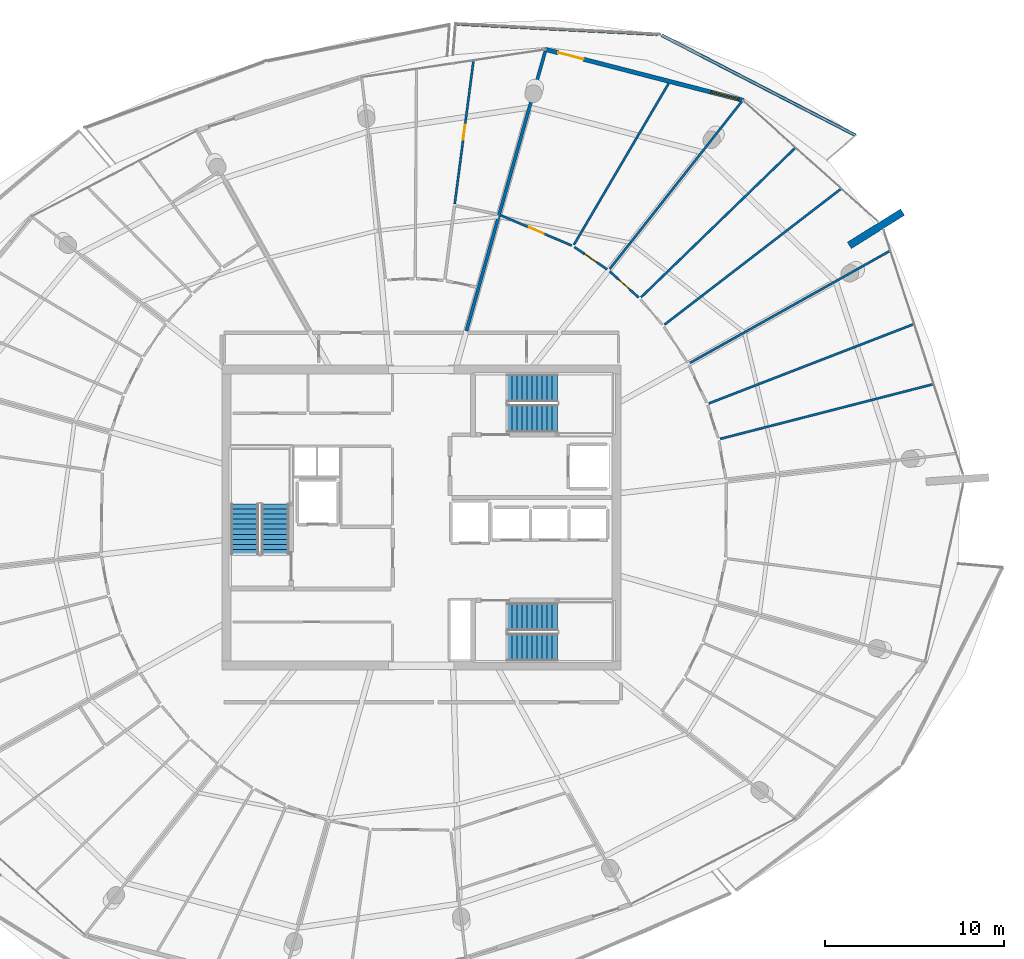
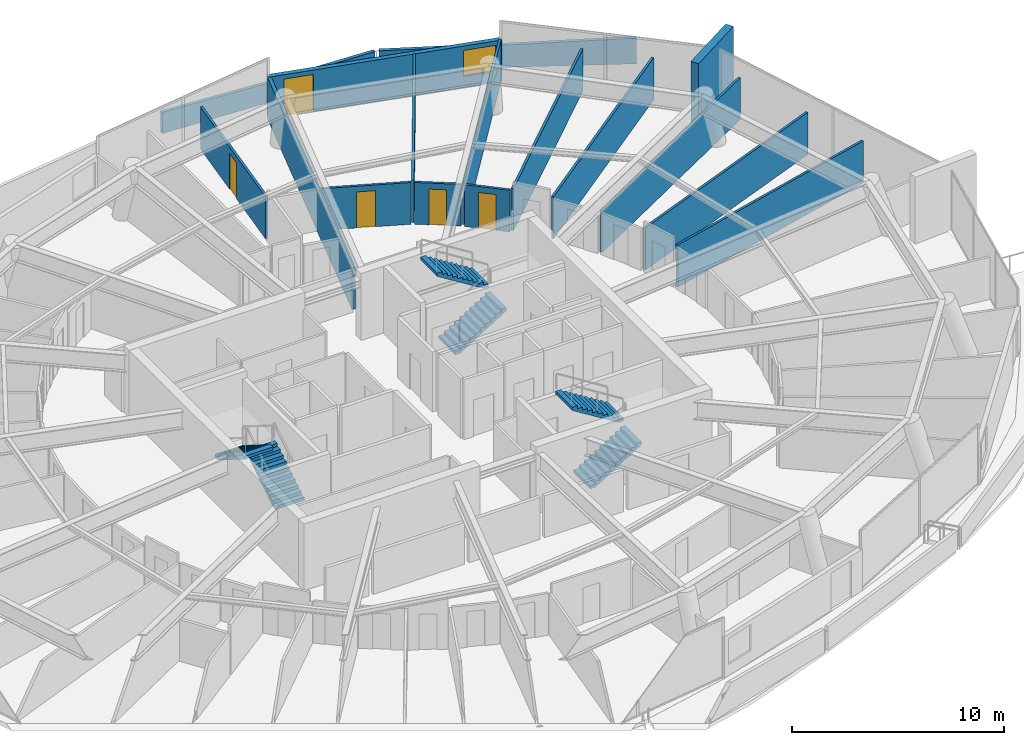
# One storey, part 23 of 30: 16 walls, 6 stair flights, 5 doors, 1 window, 6 openings, 3 elements without a shape of their own.
"""IFC4 building model written with IfcOpenShell, lengths in metres."""

from ifc_helpers import new_model, si_unit, direction, frame, frame_2d, origin, place, context, subcontext, project, spatial, polyline, rectangle, outline, extrude, material, layer, layer_set, type_object, element, fill, aggregate, save


model = new_model("IFC4")

# Units and contexts
model_context = context("Model", 3, precision=1e-05, world=origin(), true_north=direction((0.0, 1.0)))
body_context = subcontext(model_context, "Body", "Model", "MODEL_VIEW")
ifc_project = project(units=[si_unit("LENGTHUNIT", "METRE"), si_unit("AREAUNIT", "SQUARE_METRE"), si_unit("VOLUMEUNIT", "CUBIC_METRE"), si_unit("PLANEANGLEUNIT", "RADIAN"), si_unit("MASSUNIT", "GRAM", prefix="KILO")], contexts=[model_context])

# Site, building, storey
site_placement = place(None, origin())
site = spatial("IfcSite", under=ifc_project, at=site_placement, CompositionType="ELEMENT")
building_placement = place(site_placement, origin())
building = spatial("IfcBuilding", under=site, at=building_placement, Name="Kazma Halo Residences", CompositionType="ELEMENT")
storey_placement = place(building_placement, frame((0.0, 0.0, 302.14990234375)))
storey = spatial("IfcBuildingStorey", under=building, at=storey_placement, Name="L76", CompositionType="ELEMENT", Elevation=302.14990234375)

# Walls
ifc_material_1 = material(Name="White Concrete C50/60 Balustrade", Category="concrete")
ifc_layer_1 = layer(ifc_material_1, 0.179931640625)
ifc_layer_set_1 = layer_set([ifc_layer_1], Name="White Concrete C50/60 Balustrade")
wall_type_1 = type_object("IfcWallType", Name="WL-BAL-WAVE-180", PredefinedType="PARAPET", material=ifc_layer_set_1)
wall_1_placement = place(storey_placement, frame((72.63720703125, 63.3037109375, 0.0), z_axis=(0.0, 0.0, 1.0), x_axis=(-0.888586869338, 0.458708377556, 0.0)))
element("IfcWall", 1, at=wall_1_placement, inside=storey, type_object=wall_type_1, Name="L76 white wave balustrade wall NE.1", PredefinedType="PARAPET", context=body_context, shape_type="SweptSolid", body=[
    extrude(outline(polyline([(0.0, 0.0), (12.160400390625, 0.0), (12.160400390625, 1.148193359375), (6.080078125, 1.2841796875), (0.0, 1.483154296875), (0.0, 0.0)])), frame((0.0, 0.08984375, 0.0), z_axis=(0.0, -1.0, 0.0), x_axis=(1.0, 0.0, 0.0)), (0.0, 0.0, 1.0), 0.179931640625),
])
wall_2_placement = place(storey_placement, frame((61.605224609375, 68.943115234375, 0.0), z_axis=(0.0, 0.0, 1.0), x_axis=(-0.998675719667, 0.051447127692, 0.0)))
element("IfcWall", 2, at=wall_2_placement, inside=storey, type_object=wall_type_1, Name="L76 white wave balustrade wall NE.2", PredefinedType="PARAPET", context=body_context, shape_type="SweptSolid", body=[
    extrude(outline(polyline([(0.0, 0.0), (11.28466796875, 0.0), (11.284912109375, 1.22412109375), (5.642333984375, 1.127197265625), (0.0, 1.148193359375), (0.0, 0.0)])), frame((0.0, 0.08984375, 0.0), z_axis=(0.0, -1.0, 0.0), x_axis=(1.0, 0.0, 0.0)), (0.0, 0.0, 1.0), 0.179931640625),
])
ifc_material_2 = material(Name="Pale Concrete C60/75", Category="concrete")
ifc_layer_2 = layer(ifc_material_2, 0.419921875)
ifc_layer_set_2 = layer_set([ifc_layer_2], Name="Pale Concrete C60/75")
wall_type_2 = type_object("IfcWallType", Name="WL-BLADE-420", PredefinedType="SOLIDWALL", material=ifc_layer_set_2)
wall_3_placement = place(storey_placement, frame((72.281494140625, 57.172607421875, 0.0), z_axis=(0.0, 0.0, 1.0), x_axis=(0.848033572426, 0.529942506352, 0.0)))
element("IfcWall", 3, at=wall_3_placement, inside=storey, type_object=wall_type_2, Name="L76 pale concrete structural blade fin wall BW-01", PredefinedType="SOLIDWALL", context=body_context, shape_type="SweptSolid", body=[
    extrude(rectangle(XDim=3.5, YDim=0.419921875, at=frame_2d((1.75, 0.0))), origin(), (0.0, 0.0, 1.0), 3.85009765625),
])
ifc_material_3 = material(Name="Acoustic Twin-Stud Gypsum")
ifc_layer_3 = layer(ifc_material_3, 0.179931640625)
ifc_layer_set_3 = layer_set([ifc_layer_3], Name="Acoustic Twin-Stud Gypsum")
wall_type_3 = type_object("IfcWallType", Name="WL-DEM-180", PredefinedType="PARTITIONING", material=ifc_layer_set_3)
wall_4_placement = place(storey_placement, frame((50.934814453125, 52.406005859375, 0.0), z_axis=(0.0, 0.0, 1.0), x_axis=(0.27143972755, 0.962455440167, 0.0)))
element("IfcWall", 4, at=wall_4_placement, inside=storey, type_object=wall_type_3, Name="L76 apartment demising radial wall 02", PredefinedType="PARTITIONING", context=body_context, shape_type="SweptSolid", body=[
    extrude(rectangle(XDim=16.172607421875, YDim=0.179931640625, at=frame_2d((8.08642578125, 0.0))), origin(), (0.0, 0.0, 1.0), 2.406982421875),
])

# Wall, openings, door, window
ifc_material_4 = material(Name="Insulated Pale-Metal Composite Wall")
ifc_layer_4 = layer(ifc_material_4, 0.239990234375)
ifc_layer_set_4 = layer_set([ifc_layer_4], Name="Insulated Pale-Metal Composite Wall")
wall_type_4 = type_object("IfcWallType", Name="WL-EXT-HOST-240", PredefinedType="SOLIDWALL", material=ifc_layer_set_4)
wall_5_placement = place(storey_placement, frame((66.386474609375, 65.2490234375, 0.0), z_axis=(0.0, 0.0, 1.0), x_axis=(-0.968343758421, 0.249620442927, 0.0)))
wall_5 = element("IfcWall", 5, at=wall_5_placement, inside=storey, type_object=wall_type_4, Name="L76 exterior terrace-access wall B02", PredefinedType="SOLIDWALL", context=body_context, shape_type="SweptSolid", body=[
    extrude(rectangle(XDim=11.438232421875, YDim=0.239990234375, at=frame_2d((5.71923828125, 0.0))), origin(), (0.0, 0.0, 1.0), 2.400146484375),
])
opening_1_placement = place(wall_5_placement, frame((9.21826171875, 0.0, 0.0)))
opening_1 = element("IfcOpeningElement", 6, at=opening_1_placement, cuts=wall_5, Name="Opening DTR-1600", PredefinedType="OPENING", context=body_context, shape_type="SweptSolid", body=[
    extrude(rectangle(XDim=1.449951171875, YDim=2.14990234375, at=frame_2d((0.72509765625, 1.074951171875))), frame((0.0, 0.1298828125, 0.0), z_axis=(0.0, -1.0, 0.0), x_axis=(1.0, 0.0, 0.0)), (0.0, 0.0, 1.0), 0.260009765625),
])
opening_2_placement = place(wall_5_placement, frame((0.280029296875, 0.0, 0.64990234375)))
opening_2 = element("IfcOpeningElement", 7, at=opening_2_placement, cuts=wall_5, Name="Opening W-1800", PredefinedType="OPENING", context=body_context, shape_type="SweptSolid", body=[
    extrude(rectangle(XDim=1.60009765625, YDim=1.5, at=frame_2d((0.800048828125, 0.75))), frame((0.0, 0.1298828125, 0.0), z_axis=(0.0, -1.0, 0.0), x_axis=(1.0, 0.0, 0.0)), (0.0, 0.0, 1.0), 0.260009765625),
])
ifc_material_5 = material(Name="Aluminium AW-6063 T6 Double-Glazed Terrace Door", Category="aluminium")
door_type_1 = type_object("IfcDoorType", Name="DR-EXT-TERR-1600", OperationType="NOTDEFINED", PredefinedType="DOOR", material=ifc_material_5)
door_1_placement = place(opening_1_placement, origin())
door_1 = element("IfcDoor", 8, at=door_1_placement, inside=storey, type_object=door_type_1, Name="L76 B02 balcony terrace door", OperationType="DOUBLE_DOOR_SLIDING", OverallHeight=2.14990234375, OverallWidth=1.449951171875, PredefinedType="DOOR", context=body_context, shape_type="SweptSolid", body=[
    extrude(rectangle(XDim=1.449951171875, YDim=2.14990234375, at=frame_2d((0.72509765625, 1.074951171875))), frame((0.0, 0.02490234375, 0.0), z_axis=(0.0, -1.0, 0.0), x_axis=(1.0, 0.0, 0.0)), (0.0, 0.0, 1.0), 0.050048828125),
])
fill(opening_1, door_1)
ifc_material_6 = material(Name="Clear Triple-Silver Low-E Glass in Aluminium AW-6063 T6 Frame", Category="aluminium")
window_type = type_object("IfcWindowType", Name="WIN-RES-1800", PartitioningType="DOUBLE_PANEL_VERTICAL", PredefinedType="WINDOW", material=ifc_material_6)
window_placement = place(opening_2_placement, origin())
window = element("IfcWindow", 9, at=window_placement, inside=storey, type_object=window_type, Name="L76 B02 apartment window", OverallHeight=1.5, OverallWidth=1.60009765625, PartitioningType="SINGLE_PANEL", PredefinedType="WINDOW", context=body_context, shape_type="SweptSolid", body=[
    extrude(rectangle(XDim=1.60009765625, YDim=1.5, at=frame_2d((0.800048828125, 0.75))), frame((0.0, 0.030029296875, 0.0), z_axis=(0.0, -1.0, 0.0), x_axis=(1.0, 0.0, 0.0)), (0.0, 0.0, 1.0), 0.06005859375),
])
fill(opening_2, window)

# Wall, opening, door
ifc_material_7 = material(Name="Gypsum Plasterboard Partition")
ifc_layer_5 = layer(ifc_material_7, 0.125)
ifc_layer_set_5 = layer_set([ifc_layer_5], Name="Gypsum Plasterboard Partition")
wall_type_5 = type_object("IfcWallType", Name="WL-PART-125", PredefinedType="PARTITIONING", material=ifc_layer_set_5)
wall_6_placement = place(storey_placement, frame((50.285888671875, 59.486083984375, 0.0), z_axis=(0.0, 0.0, 1.0), x_axis=(0.129610388033, 0.991564999036, 0.0)))
wall_6 = element("IfcWall", 10, at=wall_6_placement, inside=storey, type_object=wall_type_5, Name="L76 Apartment 1 Household Store Room partition wall", PredefinedType="PARTITIONING", context=body_context, shape_type="SweptSolid", body=[
    extrude(rectangle(XDim=8.043212890625, YDim=0.125, at=frame_2d((4.021484375, 0.0))), origin(), (0.0, 0.0, 1.0), 2.425048828125),
])
opening_3_placement = place(wall_6_placement, frame((3.596435546875, 0.0, 0.0)))
opening_3 = element("IfcOpeningElement", 11, at=opening_3_placement, cuts=wall_6, Name="Opening DB-900", PredefinedType="OPENING", context=body_context, shape_type="SweptSolid", body=[
    extrude(rectangle(XDim=0.85009765625, YDim=2.06005859375, at=frame_2d((0.425048828125, 1.030029296875))), frame((0.0, 0.072509765625, 0.0), z_axis=(0.0, -1.0, 0.0), x_axis=(1.0, 0.0, 0.0)), (0.0, 0.0, 1.0), 0.14501953125),
])
ifc_material_8 = material(Name="Moisture-Sealed Timber Leaf", Category="wood")
door_type_2 = type_object("IfcDoorType", Name="DR-BTH-900", OperationType="NOTDEFINED", PredefinedType="DOOR", material=ifc_material_8)
door_2_placement = place(opening_3_placement, origin())
door_2 = element("IfcDoor", 12, at=door_2_placement, inside=storey, type_object=door_type_2, Name="L76 Apartment 1 Household Store Room door", OperationType="SINGLE_SWING_RIGHT", OverallHeight=2.06005859375, OverallWidth=0.85009765625, PredefinedType="DOOR", context=body_context, shape_type="SweptSolid", body=[
    extrude(rectangle(XDim=0.85009765625, YDim=2.06005859375, at=frame_2d((0.425048828125, 1.030029296875))), frame((0.0, 0.02490234375, 0.0), z_axis=(0.0, -1.0, 0.0), x_axis=(1.0, 0.0, 0.0)), (0.0, 0.0, 1.0), 0.050048828125),
])
fill(opening_3, door_2)

# Walls
wall_7_placement = place(storey_placement, frame((65.08203125, 46.385986328125, 0.0), z_axis=(0.0, 0.0, 1.0), x_axis=(0.968583522114, 0.248688481217, 0.0)))
element("IfcWall", 13, at=wall_7_placement, inside=storey, type_object=wall_type_5, Name="L76 Apartment 2 bay wall 1 15", PredefinedType="PARTITIONING", context=body_context, shape_type="SweptSolid", body=[
    extrude(rectangle(XDim=12.267578125, YDim=0.125, at=frame_2d((6.1337890625, 0.0))), origin(), (0.0, 0.0, 1.0), 2.425048828125),
])
wall_8_placement = place(storey_placement, frame((64.447998046875, 48.36328125, 0.0), z_axis=(0.0, 0.0, 1.0), x_axis=(0.93263774996, 0.360814117446, 0.0)))
element("IfcWall", 14, at=wall_8_placement, inside=storey, type_object=wall_type_5, Name="L76 Apartment 2 bay wall 2 15", PredefinedType="PARTITIONING", context=body_context, shape_type="SweptSolid", body=[
    extrude(rectangle(XDim=12.25390625, YDim=0.125, at=frame_2d((6.126953125, 0.0))), origin(), (0.0, 0.0, 1.0), 2.425048828125),
])
wall_9_placement = place(storey_placement, frame((63.39599609375, 50.622314453125, 0.0), z_axis=(0.0, 0.0, 1.0), x_axis=(0.872499176967, 0.4886155812, 0.0)))
element("IfcWall", 15, at=wall_9_placement, inside=storey, type_object=wall_type_5, Name="L76 Apartment 2 radial partition 0", PredefinedType="PARTITIONING", context=body_context, shape_type="SweptSolid", body=[
    extrude(rectangle(XDim=12.78369140625, YDim=0.125, at=frame_2d((6.391845703125, 0.0))), origin(), (0.0, 0.0, 1.0), 2.406982421875),
])
wall_10_placement = place(storey_placement, frame((61.9775390625, 52.75439453125, 0.0), z_axis=(0.0, 0.0, 1.0), x_axis=(0.792559605076, 0.609794450944, 0.0)))
element("IfcWall", 16, at=wall_10_placement, inside=storey, type_object=wall_type_5, Name="L76 Apartment 2 bay wall 1 0", PredefinedType="PARTITIONING", context=body_context, shape_type="SweptSolid", body=[
    extrude(rectangle(XDim=12.40576171875, YDim=0.125, at=frame_2d((6.202880859375, 0.0))), origin(), (0.0, 0.0, 1.0), 2.425048828125),
])
wall_11_placement = place(storey_placement, frame((60.664794921875, 54.273193359375, 0.0), z_axis=(0.0, 0.0, 1.0), x_axis=(0.718133524399, 0.695905339205, 0.0)))
element("IfcWall", 17, at=wall_11_placement, inside=storey, type_object=wall_type_5, Name="L76 Apartment 2 bay wall 2 0", PredefinedType="PARTITIONING", context=body_context, shape_type="SweptSolid", body=[
    extrude(rectangle(XDim=11.971923828125, YDim=0.125, at=frame_2d((5.98583984375, 0.0))), origin(), (0.0, 0.0, 1.0), 2.425048828125),
])

# Wall, opening, door
wall_12_placement = place(storey_placement, frame((60.540771484375, 54.26416015625, 0.0), z_axis=(0.0, 0.0, 1.0), x_axis=(-0.742235558018, 0.670139072443, 0.0)))
wall_12 = element("IfcWall", 18, at=wall_12_placement, inside=storey, type_object=wall_type_5, Name="L76 Apartment 2 Outer Master Bedroom hall wall", PredefinedType="PARTITIONING", context=body_context, shape_type="SweptSolid", body=[
    extrude(rectangle(XDim=2.1806640625, YDim=0.125, at=frame_2d((1.09033203125, 0.0))), origin(), (0.0, 0.0, 1.0), 2.406982421875),
])
opening_4_placement = place(wall_12_placement, frame((0.66552734375, 0.0, 0.0)))
opening_4 = element("IfcOpeningElement", 19, at=opening_4_placement, cuts=wall_12, Name="Opening DB-900", PredefinedType="OPENING", context=body_context, shape_type="SweptSolid", body=[
    extrude(rectangle(XDim=0.85009765625, YDim=2.06005859375, at=frame_2d((0.425048828125, 1.030029296875))), frame((0.0, 0.072509765625, 0.0), z_axis=(0.0, -1.0, 0.0), x_axis=(1.0, 0.0, 0.0)), (0.0, 0.0, 1.0), 0.14501953125),
])
door_3_placement = place(opening_4_placement, origin())
door_3 = element("IfcDoor", 20, at=door_3_placement, inside=storey, type_object=door_type_2, Name="L76 Apartment 2 Outer Master Bedroom door", OperationType="SINGLE_SWING_RIGHT", OverallHeight=2.06005859375, OverallWidth=0.85009765625, PredefinedType="DOOR", context=body_context, shape_type="SweptSolid", body=[
    extrude(rectangle(XDim=0.85009765625, YDim=2.06005859375, at=frame_2d((0.425048828125, 1.030029296875))), frame((0.0, 0.02490234375, 0.0), z_axis=(0.0, -1.0, 0.0), x_axis=(1.0, 0.0, 0.0)), (0.0, 0.0, 1.0), 0.050048828125),
])
fill(opening_4, door_3)

# Walls
wall_13_placement = place(storey_placement, frame((58.924560546875, 55.857666015625, 0.0), z_axis=(0.0, 0.0, 1.0), x_axis=(0.619092993306, 0.785317684532, 0.0)))
element("IfcWall", 21, at=wall_13_placement, inside=storey, type_object=wall_type_5, Name="L76 Apartment 2 radial partition 1", PredefinedType="PARTITIONING", context=body_context, shape_type="SweptSolid", body=[
    extrude(rectangle(XDim=11.94970703125, YDim=0.125, at=frame_2d((5.974853515625, 0.0))), origin(), (0.0, 0.0, 1.0), 2.406982421875),
])
wall_14_placement = place(storey_placement, frame((56.9296875, 57.208251953125, 0.0), z_axis=(0.0, 0.0, 1.0), x_axis=(0.506337583603, 0.862335347432, 0.0)))
element("IfcWall", 22, at=wall_14_placement, inside=storey, type_object=wall_type_5, Name="L76 Apartment 2 mid-bay wall 1", PredefinedType="PARTITIONING", context=body_context, shape_type="SweptSolid", body=[
    extrude(rectangle(XDim=10.428955078125, YDim=0.125, at=frame_2d((5.21435546875, 0.0))), origin(), (0.0, 0.0, 1.0), 2.425048828125),
])

# Wall, opening, door
wall_15_placement = place(storey_placement, frame((58.780029296875, 55.835693359375, 0.0), z_axis=(0.0, 0.0, 1.0), x_axis=(-0.825777202557, 0.563996464295, 0.0)))
wall_15 = element("IfcWall", 23, at=wall_15_placement, inside=storey, type_object=wall_type_5, Name="L76 Apartment 2 Corner Wine Pantry Store hall wall", PredefinedType="PARTITIONING", context=body_context, shape_type="SweptSolid", body=[
    extrude(rectangle(XDim=2.2158203125, YDim=0.125, at=frame_2d((1.10791015625, 0.0))), origin(), (0.0, 0.0, 1.0), 2.406982421875),
])
opening_5_placement = place(wall_15_placement, frame((0.682861328125, 0.0, 0.0)))
opening_5 = element("IfcOpeningElement", 24, at=opening_5_placement, cuts=wall_15, Name="Opening DB-900", PredefinedType="OPENING", context=body_context, shape_type="SweptSolid", body=[
    extrude(rectangle(XDim=0.85009765625, YDim=2.06005859375, at=frame_2d((0.425048828125, 1.030029296875))), frame((0.0, 0.072509765625, 0.0), z_axis=(0.0, -1.0, 0.0), x_axis=(1.0, 0.0, 0.0)), (0.0, 0.0, 1.0), 0.14501953125),
])
door_4_placement = place(opening_5_placement, origin())
door_4 = element("IfcDoor", 25, at=door_4_placement, inside=storey, type_object=door_type_2, Name="L76 Apartment 2 Corner Wine Pantry Store door", OperationType="SINGLE_SWING_RIGHT", OverallHeight=2.06005859375, OverallWidth=0.85009765625, PredefinedType="DOOR", context=body_context, shape_type="SweptSolid", body=[
    extrude(rectangle(XDim=0.85009765625, YDim=2.06005859375, at=frame_2d((0.425048828125, 1.030029296875))), frame((0.0, 0.02490234375, 0.0), z_axis=(0.0, -1.0, 0.0), x_axis=(1.0, 0.0, 0.0)), (0.0, 0.0, 1.0), 0.050048828125),
])
fill(opening_5, door_4)

wall_16_placement = place(storey_placement, frame((56.810546875, 57.162109375, 0.0), z_axis=(0.0, 0.0, 1.0), x_axis=(-0.919947770822, 0.392040940414, 0.0)))
wall_16 = element("IfcWall", 26, at=wall_16_placement, inside=storey, type_object=wall_type_5, Name="L76 Apartment 2 Garden Formal Dining Room hall wall", PredefinedType="PARTITIONING", context=body_context, shape_type="SweptSolid", body=[
    extrude(rectangle(XDim=4.300048828125, YDim=0.125, at=frame_2d((2.14990234375, 0.0))), origin(), (0.0, 0.0, 1.0), 2.406982421875),
])
opening_6_placement = place(wall_16_placement, frame((1.7001953125, 0.0, 0.0)))
opening_6 = element("IfcOpeningElement", 27, at=opening_6_placement, cuts=wall_16, Name="Opening DI-950", PredefinedType="OPENING", context=body_context, shape_type="SweptSolid", body=[
    extrude(rectangle(XDim=0.89990234375, YDim=2.080078125, at=frame_2d((0.449951171875, 1.0400390625))), frame((0.0, 0.072509765625, 0.0), z_axis=(0.0, -1.0, 0.0), x_axis=(1.0, 0.0, 0.0)), (0.0, 0.0, 1.0), 0.14501953125),
])
ifc_material_9 = material(Name="Timber Veneer Flush Leaf", Category="wood")
door_type_3 = type_object("IfcDoorType", Name="DR-INT-950", OperationType="NOTDEFINED", PredefinedType="DOOR", material=ifc_material_9)
door_5_placement = place(opening_6_placement, origin())
door_5 = element("IfcDoor", 28, at=door_5_placement, inside=storey, type_object=door_type_3, Name="L76 Apartment 2 Garden Formal Dining Room door", OperationType="SINGLE_SWING_LEFT", OverallHeight=2.080078125, OverallWidth=0.89990234375, PredefinedType="DOOR", context=body_context, shape_type="SweptSolid", body=[
    extrude(rectangle(XDim=0.89990234375, YDim=2.080078125, at=frame_2d((0.449951171875, 1.0400390625))), frame((0.0, 0.02490234375, 0.0), z_axis=(0.0, -1.0, 0.0), x_axis=(1.0, 0.0, 0.0)), (0.0, 0.0, 1.0), 0.050048828125),
])
fill(opening_6, door_5)

# Stair, stair flights
ifc_material_10 = material(Name="Concrete C50/60", Category="concrete")
stair_type = type_object("IfcStairType", Name="STR-RES2", PredefinedType="HALF_TURN_STAIR", material=ifc_material_10)
stair_1_placement = place(storey_placement, origin())
stair_1 = element("IfcStair", 29, at=stair_1_placement, inside=storey, type_object=stair_type, Name="L76 Core exit stair ST-01", PredefinedType="HALF_TURN_STAIR")
stair_flight_type = type_object("IfcStairFlightType", Name="STR-RES2-FLT", PredefinedType="STRAIGHT", material=ifc_material_10)
stair_flight_1_placement = place(storey_placement, frame((40.27490234375, 39.949951171875, 0.0), z_axis=(0.0, 0.0, 1.0), x_axis=(0.0, 1.0, 0.0)))
stair_flight_1 = element("IfcStairFlight", 30, at=stair_flight_1_placement, type_object=stair_flight_type, Name="ST-01 flight 1", NumberOfRisers=11, NumberOfTreads=10, PredefinedType="STRAIGHT", RiserHeight=0.175, TreadLength=0.28, context=body_context, shape_type="SweptSolid", body=[
    extrude(outline(polyline([(0.0, 0.0), (0.0, 0.175048828125), (0.280029296875, 0.175048828125), (0.280029296875, 0.35009765625), (0.56005859375, 0.35009765625), (0.56005859375, 0.52490234375), (0.840087890625, 0.52490234375), (0.840087890625, 0.699951171875), (1.1201171875, 0.699951171875), (1.1201171875, 0.875), (1.39990234375, 0.875), (1.39990234375, 1.050048828125), (1.679931640625, 1.050048828125), (1.679931640625, 1.22509765625), (1.9599609375, 1.22509765625), (1.9599609375, 1.39990234375), (2.239990234375, 1.39990234375), (2.239990234375, 1.574951171875), (2.52001953125, 1.574951171875), (2.52001953125, 1.75), (2.800048828125, 1.75), (2.800048828125, 1.925048828125), (2.800048828125, 1.5732421875), (0.28271484375, 0.0), (0.0, 0.0)])), frame((0.0, 0.77490234375, 0.0), z_axis=(0.0, -1.0, 0.0), x_axis=(1.0, 0.0, 0.0)), (0.0, 0.0, 1.0), 1.550048828125),
])
stair_flight_2_placement = place(storey_placement, frame((38.574951171875, 42.75, 1.925048828125), z_axis=(0.0, 0.0, 1.0), x_axis=(0.0, -1.0, 0.0)))
stair_flight_2 = element("IfcStairFlight", 31, at=stair_flight_2_placement, type_object=stair_flight_type, Name="ST-01 flight 2", NumberOfRisers=11, NumberOfTreads=10, PredefinedType="STRAIGHT", RiserHeight=0.175, TreadLength=0.28, context=body_context, shape_type="SweptSolid", body=[
    extrude(outline(polyline([(0.0, 0.0), (0.0, 0.175048828125), (0.280029296875, 0.175048828125), (0.280029296875, 0.35009765625), (0.56005859375, 0.35009765625), (0.56005859375, 0.52490234375), (0.840087890625, 0.52490234375), (0.840087890625, 0.699951171875), (1.1201171875, 0.699951171875), (1.1201171875, 0.875), (1.39990234375, 0.875), (1.39990234375, 1.050048828125), (1.679931640625, 1.050048828125), (1.679931640625, 1.22509765625), (1.9599609375, 1.22509765625), (1.9599609375, 1.39990234375), (2.239990234375, 1.39990234375), (2.239990234375, 1.574951171875), (2.52001953125, 1.574951171875), (2.52001953125, 1.75), (2.800048828125, 1.75), (2.800048828125, 1.925048828125), (2.800048828125, 1.5732421875), (0.28271484375, 0.0), (0.0, 0.0)])), frame((0.0, 0.77490234375, 0.0), z_axis=(0.0, -1.0, 0.0), x_axis=(1.0, 0.0, 0.0)), (0.0, 0.0, 1.0), 1.550048828125),
])
aggregate(stair_1, [stair_flight_1, stair_flight_2])

stair_2_placement = place(storey_placement, origin())
stair_2 = element("IfcStair", 32, at=stair_2_placement, inside=storey, type_object=stair_type, Name="L76 Core exit stair ST-02", PredefinedType="HALF_TURN_STAIR")
stair_flight_3_placement = place(storey_placement, frame((53.199951171875, 47.52490234375, 0.0), z_axis=(0.0, 0.0, 1.0), x_axis=(1.0, 0.0, 0.0)))
stair_flight_3 = element("IfcStairFlight", 33, at=stair_flight_3_placement, type_object=stair_flight_type, Name="ST-02 flight 1", NumberOfRisers=11, NumberOfTreads=10, PredefinedType="STRAIGHT", RiserHeight=0.175, TreadLength=0.28, context=body_context, shape_type="SweptSolid", body=[
    extrude(outline(polyline([(0.0, 0.0), (0.0, 0.175048828125), (0.280029296875, 0.175048828125), (0.280029296875, 0.35009765625), (0.56005859375, 0.35009765625), (0.56005859375, 0.52490234375), (0.840087890625, 0.52490234375), (0.840087890625, 0.699951171875), (1.1201171875, 0.699951171875), (1.1201171875, 0.875), (1.39990234375, 0.875), (1.39990234375, 1.050048828125), (1.679931640625, 1.050048828125), (1.679931640625, 1.22509765625), (1.9599609375, 1.22509765625), (1.9599609375, 1.39990234375), (2.239990234375, 1.39990234375), (2.239990234375, 1.574951171875), (2.52001953125, 1.574951171875), (2.52001953125, 1.75), (2.800048828125, 1.75), (2.800048828125, 1.925048828125), (2.800048828125, 1.5732421875), (0.28271484375, 0.0), (0.0, 0.0)])), frame((0.0, 0.77490234375, 0.0), z_axis=(0.0, -1.0, 0.0), x_axis=(1.0, 0.0, 0.0)), (0.0, 0.0, 1.0), 1.550048828125),
])
stair_flight_4_placement = place(storey_placement, frame((56.0, 49.22509765625, 1.925048828125), z_axis=(0.0, 0.0, 1.0), x_axis=(-1.0, 0.0, 0.0)))
stair_flight_4 = element("IfcStairFlight", 34, at=stair_flight_4_placement, type_object=stair_flight_type, Name="ST-02 flight 2", NumberOfRisers=11, NumberOfTreads=10, PredefinedType="STRAIGHT", RiserHeight=0.175, TreadLength=0.28, context=body_context, shape_type="SweptSolid", body=[
    extrude(outline(polyline([(0.0, 0.0), (0.0, 0.175048828125), (0.280029296875, 0.175048828125), (0.280029296875, 0.35009765625), (0.56005859375, 0.35009765625), (0.56005859375, 0.52490234375), (0.840087890625, 0.52490234375), (0.840087890625, 0.699951171875), (1.1201171875, 0.699951171875), (1.1201171875, 0.875), (1.39990234375, 0.875), (1.39990234375, 1.050048828125), (1.679931640625, 1.050048828125), (1.679931640625, 1.22509765625), (1.9599609375, 1.22509765625), (1.9599609375, 1.39990234375), (2.239990234375, 1.39990234375), (2.239990234375, 1.574951171875), (2.52001953125, 1.574951171875), (2.52001953125, 1.75), (2.800048828125, 1.75), (2.800048828125, 1.925048828125), (2.800048828125, 1.5732421875), (0.28271484375, 0.0), (0.0, 0.0)])), frame((0.0, 0.77490234375, 0.0), z_axis=(0.0, -1.0, 0.0), x_axis=(1.0, 0.0, 0.0)), (0.0, 0.0, 1.0), 1.550048828125),
])
aggregate(stair_2, [stair_flight_3, stair_flight_4])

stair_3_placement = place(storey_placement, origin())
stair_3 = element("IfcStair", 35, at=stair_3_placement, inside=storey, type_object=stair_type, Name="L76 Core exit stair ST-03", PredefinedType="HALF_TURN_STAIR")
stair_flight_5_placement = place(storey_placement, frame((53.199951171875, 34.77490234375, 0.0), z_axis=(0.0, 0.0, 1.0), x_axis=(1.0, 0.0, 0.0)))
stair_flight_5 = element("IfcStairFlight", 36, at=stair_flight_5_placement, type_object=stair_flight_type, Name="ST-03 flight 1", NumberOfRisers=11, NumberOfTreads=10, PredefinedType="STRAIGHT", RiserHeight=0.175, TreadLength=0.28, context=body_context, shape_type="SweptSolid", body=[
    extrude(outline(polyline([(0.0, 0.0), (0.0, 0.175048828125), (0.280029296875, 0.175048828125), (0.280029296875, 0.35009765625), (0.56005859375, 0.35009765625), (0.56005859375, 0.52490234375), (0.840087890625, 0.52490234375), (0.840087890625, 0.699951171875), (1.1201171875, 0.699951171875), (1.1201171875, 0.875), (1.39990234375, 0.875), (1.39990234375, 1.050048828125), (1.679931640625, 1.050048828125), (1.679931640625, 1.22509765625), (1.9599609375, 1.22509765625), (1.9599609375, 1.39990234375), (2.239990234375, 1.39990234375), (2.239990234375, 1.574951171875), (2.52001953125, 1.574951171875), (2.52001953125, 1.75), (2.800048828125, 1.75), (2.800048828125, 1.925048828125), (2.800048828125, 1.5732421875), (0.28271484375, 0.0), (0.0, 0.0)])), frame((0.0, 0.77490234375, 0.0), z_axis=(0.0, -1.0, 0.0), x_axis=(1.0, 0.0, 0.0)), (0.0, 0.0, 1.0), 1.550048828125),
])
stair_flight_6_placement = place(storey_placement, frame((56.0, 36.47509765625, 1.925048828125), z_axis=(0.0, 0.0, 1.0), x_axis=(-1.0, 0.0, 0.0)))
stair_flight_6 = element("IfcStairFlight", 37, at=stair_flight_6_placement, type_object=stair_flight_type, Name="ST-03 flight 2", NumberOfRisers=11, NumberOfTreads=10, PredefinedType="STRAIGHT", RiserHeight=0.175, TreadLength=0.28, context=body_context, shape_type="SweptSolid", body=[
    extrude(outline(polyline([(0.0, 0.0), (0.0, 0.175048828125), (0.280029296875, 0.175048828125), (0.280029296875, 0.35009765625), (0.56005859375, 0.35009765625), (0.56005859375, 0.52490234375), (0.840087890625, 0.52490234375), (0.840087890625, 0.699951171875), (1.1201171875, 0.699951171875), (1.1201171875, 0.875), (1.39990234375, 0.875), (1.39990234375, 1.050048828125), (1.679931640625, 1.050048828125), (1.679931640625, 1.22509765625), (1.9599609375, 1.22509765625), (1.9599609375, 1.39990234375), (2.239990234375, 1.39990234375), (2.239990234375, 1.574951171875), (2.52001953125, 1.574951171875), (2.52001953125, 1.75), (2.800048828125, 1.75), (2.800048828125, 1.925048828125), (2.800048828125, 1.5732421875), (0.28271484375, 0.0), (0.0, 0.0)])), frame((0.0, 0.77490234375, 0.0), z_axis=(0.0, -1.0, 0.0), x_axis=(1.0, 0.0, 0.0)), (0.0, 0.0, 1.0), 1.550048828125),
])
aggregate(stair_3, [stair_flight_5, stair_flight_6])

save(model, "model.ifc")
